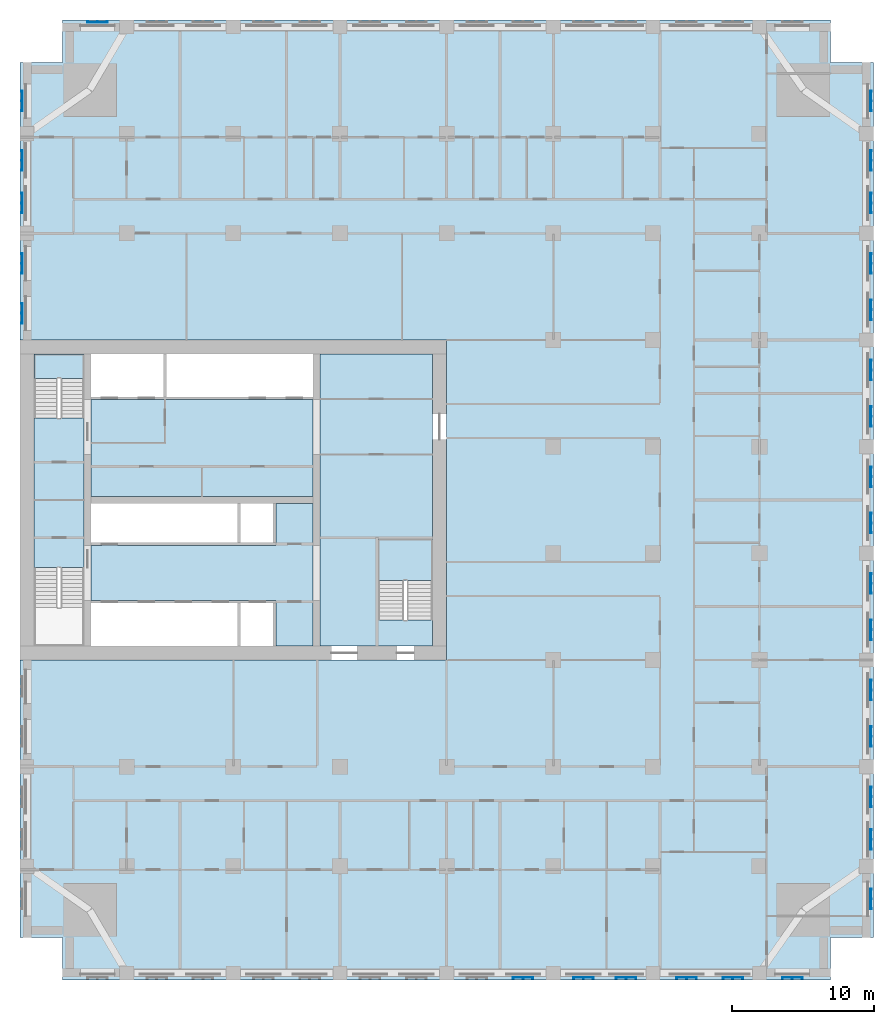
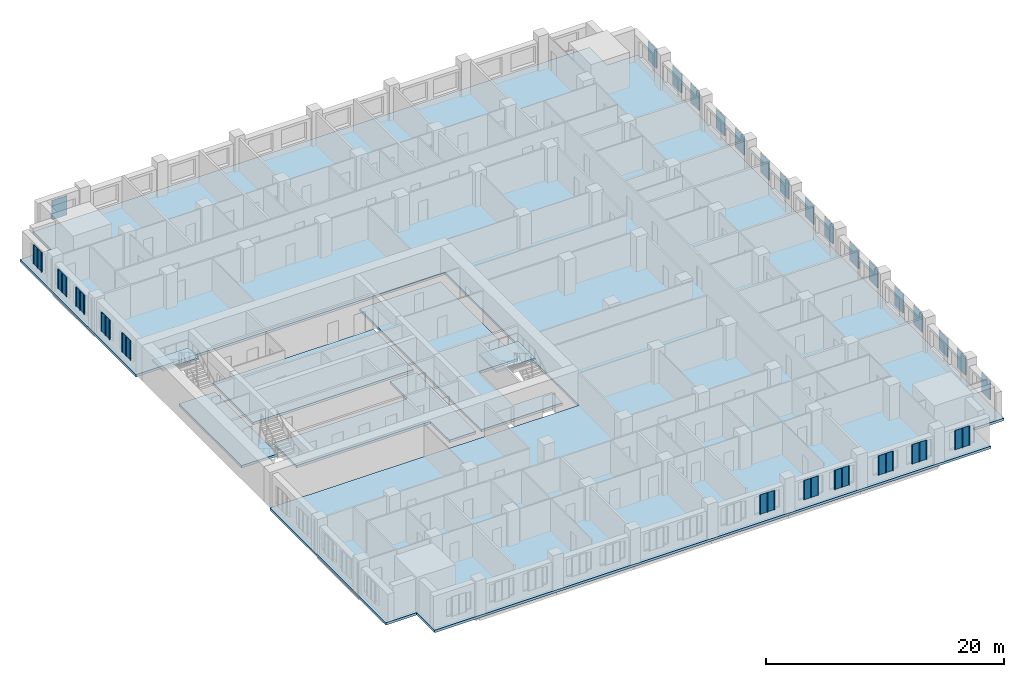
# One storey, part 2 of 14: 28 plates, 7 slabs, 2 elements without a shape of their own.
"""IFC4 building model written with IfcOpenShell, lengths in metres."""

from ifc_helpers import new_model, si_unit, direction, frame, origin, place, context, subcontext, project, spatial, polyline, outline, extrude, material, layer, layer_set, type_object, element, aggregate, save


model = new_model("IFC4")

# Units and contexts
model_context = context("Model", 3, precision=1e-05, world=origin(), true_north=direction((0.0, 1.0)))
body_context = subcontext(model_context, "Body", "Model", "MODEL_VIEW")
ifc_project = project(units=[si_unit("LENGTHUNIT", "METRE"), si_unit("AREAUNIT", "SQUARE_METRE"), si_unit("VOLUMEUNIT", "CUBIC_METRE"), si_unit("PLANEANGLEUNIT", "RADIAN"), si_unit("MASSUNIT", "GRAM", prefix="KILO")], contexts=[model_context])

# Site, building, storey
site_placement = place(None, origin())
site = spatial("IfcSite", under=ifc_project, at=site_placement, CompositionType="ELEMENT")
building_placement = place(site_placement, origin())
building = spatial("IfcBuilding", under=site, at=building_placement, Name="Tamorin Gate", CompositionType="ELEMENT")
storey_placement = place(building_placement, frame((0.0, 0.0, 79.10009765625)))
storey = spatial("IfcBuildingStorey", under=building, at=storey_placement, Name="L18", CompositionType="ELEMENT", Elevation=79.10009765625)

# Slabs
ifc_material_1 = material(Name="Concrete C40/50", Category="concrete")
ifc_layer_1 = layer(ifc_material_1, 0.25)
ifc_layer_set_1 = layer_set([ifc_layer_1], Name="Core floor slab 250 C40/50")
slab_type_1 = type_object("IfcSlabType", Name="Core floor slab 250 C40/50", PredefinedType="FLOOR", material=ifc_layer_set_1)
slab_1_placement = place(storey_placement, frame((0.0, 0.0, -0.25)))
element("IfcSlab", 1, at=slab_1_placement, inside=storey, type_object=slab_type_1, Name="Core floor L18", PredefinedType="FLOOR", context=body_context, shape_type="SweptSolid", body=[
    extrude(outline(polyline([(59.0, 62.800048828125), (59.0, 61.0), (51.10009765625, 61.0), (51.10009765625, 81.5), (59.0, 81.5), (59.0, 68.5), (55.199951171875, 68.5), (55.199951171875, 62.800048828125), (59.0, 62.800048828125)])), origin(), (0.0, 0.0, 1.0), 0.25),
])
slab_2_placement = place(storey_placement, frame((0.0, 0.0, -0.25)))
element("IfcSlab", 2, at=slab_2_placement, inside=storey, type_object=slab_type_1, Name="Core floor L18", PredefinedType="FLOOR", context=body_context, shape_type="SweptSolid", body=[
    extrude(outline(polyline([(50.60009765625, 61.0), (48.0, 61.0), (48.0, 64.199951171875), (35.0, 64.199951171875), (35.0, 68.050048828125), (48.0, 68.050048828125), (48.0, 71.0), (50.60009765625, 71.0), (50.60009765625, 61.0)])), origin(), (0.0, 0.0, 1.0), 0.25),
])
slab_3_placement = place(storey_placement, frame((0.0, 0.0, -0.25)))
element("IfcSlab", 3, at=slab_3_placement, inside=storey, type_object=slab_type_1, Name="Core floor L18", PredefinedType="FLOOR", context=body_context, shape_type="SweptSolid", body=[
    extrude(outline(polyline([(50.60009765625, 71.5), (35.0, 71.5), (35.0, 78.300048828125), (50.60009765625, 78.300048828125), (50.60009765625, 71.5)])), origin(), (0.0, 0.0, 1.0), 0.25),
])
slab_4_placement = place(storey_placement, frame((0.0, 0.0, -0.25)))
element("IfcSlab", 4, at=slab_4_placement, inside=storey, type_object=slab_type_1, Name="Core floor L18", PredefinedType="FLOOR", context=body_context, shape_type="SweptSolid", body=[
    extrude(outline(polyline([(31.0, 66.5), (31.0, 77.0), (34.5, 77.0), (34.5, 66.5), (31.0, 66.5)])), origin(), (0.0, 0.0, 1.0), 0.25),
])

# Stair, slab
stair_type = type_object("IfcStairType", Name="Exit stair", PredefinedType="HALF_TURN_STAIR", material=ifc_material_1)
stair_1_placement = place(storey_placement, origin())
stair_1 = element("IfcStair", 5, at=stair_1_placement, inside=storey, type_object=stair_type, Name="L18 stair ST2", PredefinedType="HALF_TURN_STAIR")
ifc_layer_2 = layer(ifc_material_1, 0.199951171875)
ifc_layer_set_2 = layer_set([ifc_layer_2], Name="Exit stair landing 200")
slab_type_2 = type_object("IfcSlabType", Name="Exit stair landing 200", PredefinedType="LANDING", material=ifc_layer_set_2)
slab_5_placement = place(storey_placement, frame((0.0, 0.0, 1.599853515625)))
slab_5 = element("IfcSlab", 6, at=slab_5_placement, type_object=slab_type_2, Name="ST2 landing 1", PredefinedType="LANDING", context=body_context, shape_type="SweptSolid", body=[
    extrude(outline(polyline([(34.5, 79.800048828125), (34.5, 81.5), (31.0, 81.5), (31.0, 79.800048828125), (34.5, 79.800048828125)])), origin(), (0.0, 0.0, 1.0), 0.199951171875),
])
aggregate(stair_1, [slab_5])

stair_2_placement = place(storey_placement, origin())
stair_2 = element("IfcStair", 7, at=stair_2_placement, inside=storey, type_object=stair_type, Name="L18 stair ST3", PredefinedType="HALF_TURN_STAIR")
slab_6_placement = place(storey_placement, frame((0.0, 0.0, 1.599853515625)))
slab_6 = element("IfcSlab", 8, at=slab_6_placement, type_object=slab_type_2, Name="ST3 landing 1", PredefinedType="LANDING", context=body_context, shape_type="SweptSolid", body=[
    extrude(outline(polyline([(59.0, 65.60009765625), (59.0, 68.5), (55.199951171875, 68.5), (55.199951171875, 65.60009765625), (59.0, 65.60009765625)])), origin(), (0.0, 0.0, 1.0), 0.199951171875),
])
aggregate(stair_2, [slab_6])

# Slab
ifc_layer_3 = layer(ifc_material_1, 0.25)
ifc_layer_set_3 = layer_set([ifc_layer_3], Name="Floor slab 250 C40/50")
slab_type_3 = type_object("IfcSlabType", Name="Floor slab 250 C40/50", PredefinedType="FLOOR", material=ifc_layer_set_3)
slab_7_placement = place(storey_placement, frame((0.0, 0.0, -0.25)))
element("IfcSlab", 9, at=slab_7_placement, inside=storey, type_object=slab_type_3, Name="Floor L18", PredefinedType="FLOOR", context=body_context, shape_type="SweptSolid", body=[
    extrude(outline(polyline([(30.0, 102.0), (33.0, 102.0), (33.0, 105.0), (87.0, 105.0), (87.0, 102.0), (90.0, 102.0), (90.0, 40.5), (87.0, 40.5), (87.0, 37.5), (33.0, 37.5), (33.0, 40.5), (30.0, 40.5), (30.0, 60.0), (60.0, 60.0), (60.0, 82.5), (30.0, 82.5), (30.0, 102.0)])), origin(), (0.0, 0.0, 1.0), 0.25),
])

# Plates
ifc_material_2 = material(Name="Perforated pale aluminium sheet", Category="aluminium")
ifc_layer_4 = layer(ifc_material_2, 0.0400390625)
ifc_layer_set_4 = layer_set([ifc_layer_4], Name="Pale metal solar screen 1440")
plate_type = type_object("IfcPlateType", Name="Pale metal solar screen 1440", PredefinedType="SHEET", material=ifc_layer_set_4)
plate_1_placement = place(storey_placement, frame((0.0, 0.0, 0.7099609375)))
element("IfcPlate", 10, at=plate_1_placement, inside=storey, type_object=plate_type, Name="Perforated solar screen", PredefinedType="SHEET", context=body_context, shape_type="SweptSolid", body=[
    extrude(outline(polyline([(64.655029296875, 37.659912109375), (64.655029296875, 37.699951171875), (64.715087890625, 37.699951171875), (65.344970703125, 37.699951171875), (65.405029296875, 37.699951171875), (66.034912109375, 37.699951171875), (66.094970703125, 37.699951171875), (66.094970703125, 37.659912109375), (66.094970703125, 37.60009765625), (66.034912109375, 37.60009765625), (66.034912109375, 37.659912109375), (65.405029296875, 37.659912109375), (65.405029296875, 37.60009765625), (65.344970703125, 37.60009765625), (65.344970703125, 37.659912109375), (64.715087890625, 37.659912109375), (64.715087890625, 37.60009765625), (64.655029296875, 37.60009765625), (64.655029296875, 37.659912109375)])), origin(), (0.0, 0.0, 1.0), 1.97998046875),
])
plate_2_placement = place(storey_placement, frame((0.0, 0.0, 0.7099609375)))
element("IfcPlate", 11, at=plate_2_placement, inside=storey, type_object=plate_type, Name="Perforated solar screen", PredefinedType="SHEET", context=body_context, shape_type="SweptSolid", body=[
    extrude(outline(polyline([(68.905029296875, 37.659912109375), (68.905029296875, 37.699951171875), (68.965087890625, 37.699951171875), (69.594970703125, 37.699951171875), (69.655029296875, 37.699951171875), (70.284912109375, 37.699951171875), (70.344970703125, 37.699951171875), (70.344970703125, 37.659912109375), (70.344970703125, 37.60009765625), (70.284912109375, 37.60009765625), (70.284912109375, 37.659912109375), (69.655029296875, 37.659912109375), (69.655029296875, 37.60009765625), (69.594970703125, 37.60009765625), (69.594970703125, 37.659912109375), (68.965087890625, 37.659912109375), (68.965087890625, 37.60009765625), (68.905029296875, 37.60009765625), (68.905029296875, 37.659912109375)])), origin(), (0.0, 0.0, 1.0), 1.97998046875),
])
plate_3_placement = place(storey_placement, frame((0.0, 0.0, 0.7099609375)))
element("IfcPlate", 12, at=plate_3_placement, inside=storey, type_object=plate_type, Name="Perforated solar screen", PredefinedType="SHEET", context=body_context, shape_type="SweptSolid", body=[
    extrude(outline(polyline([(71.905029296875, 37.659912109375), (71.905029296875, 37.699951171875), (71.965087890625, 37.699951171875), (72.594970703125, 37.699951171875), (72.655029296875, 37.699951171875), (73.284912109375, 37.699951171875), (73.344970703125, 37.699951171875), (73.344970703125, 37.659912109375), (73.344970703125, 37.60009765625), (73.284912109375, 37.60009765625), (73.284912109375, 37.659912109375), (72.655029296875, 37.659912109375), (72.655029296875, 37.60009765625), (72.594970703125, 37.60009765625), (72.594970703125, 37.659912109375), (71.965087890625, 37.659912109375), (71.965087890625, 37.60009765625), (71.905029296875, 37.60009765625), (71.905029296875, 37.659912109375)])), origin(), (0.0, 0.0, 1.0), 1.97998046875),
])
plate_4_placement = place(storey_placement, frame((0.0, 0.0, 0.7099609375)))
element("IfcPlate", 13, at=plate_4_placement, inside=storey, type_object=plate_type, Name="Perforated solar screen", PredefinedType="SHEET", context=body_context, shape_type="SweptSolid", body=[
    extrude(outline(polyline([(76.155029296875, 37.659912109375), (76.155029296875, 37.699951171875), (76.215087890625, 37.699951171875), (76.844970703125, 37.699951171875), (76.905029296875, 37.699951171875), (77.534912109375, 37.699951171875), (77.594970703125, 37.699951171875), (77.594970703125, 37.659912109375), (77.594970703125, 37.60009765625), (77.534912109375, 37.60009765625), (77.534912109375, 37.659912109375), (76.905029296875, 37.659912109375), (76.905029296875, 37.60009765625), (76.844970703125, 37.60009765625), (76.844970703125, 37.659912109375), (76.215087890625, 37.659912109375), (76.215087890625, 37.60009765625), (76.155029296875, 37.60009765625), (76.155029296875, 37.659912109375)])), origin(), (0.0, 0.0, 1.0), 1.97998046875),
])
plate_5_placement = place(storey_placement, frame((0.0, 0.0, 0.7099609375)))
element("IfcPlate", 14, at=plate_5_placement, inside=storey, type_object=plate_type, Name="Perforated solar screen", PredefinedType="SHEET", context=body_context, shape_type="SweptSolid", body=[
    extrude(outline(polyline([(79.405029296875, 37.659912109375), (79.405029296875, 37.699951171875), (79.465087890625, 37.699951171875), (80.094970703125, 37.699951171875), (80.155029296875, 37.699951171875), (80.784912109375, 37.699951171875), (80.844970703125, 37.699951171875), (80.844970703125, 37.659912109375), (80.844970703125, 37.60009765625), (80.784912109375, 37.60009765625), (80.784912109375, 37.659912109375), (80.155029296875, 37.659912109375), (80.155029296875, 37.60009765625), (80.094970703125, 37.60009765625), (80.094970703125, 37.659912109375), (79.465087890625, 37.659912109375), (79.465087890625, 37.60009765625), (79.405029296875, 37.60009765625), (79.405029296875, 37.659912109375)])), origin(), (0.0, 0.0, 1.0), 1.97998046875),
])
plate_6_placement = place(storey_placement, frame((0.0, 0.0, 0.7099609375)))
element("IfcPlate", 15, at=plate_6_placement, inside=storey, type_object=plate_type, Name="Perforated solar screen", PredefinedType="SHEET", context=body_context, shape_type="SweptSolid", body=[
    extrude(outline(polyline([(83.580078125, 37.659912109375), (83.580078125, 37.699951171875), (83.639892578125, 37.699951171875), (84.27001953125, 37.699951171875), (84.330078125, 37.699951171875), (84.9599609375, 37.699951171875), (85.02001953125, 37.699951171875), (85.02001953125, 37.659912109375), (85.02001953125, 37.60009765625), (84.9599609375, 37.60009765625), (84.9599609375, 37.659912109375), (84.330078125, 37.659912109375), (84.330078125, 37.60009765625), (84.27001953125, 37.60009765625), (84.27001953125, 37.659912109375), (83.639892578125, 37.659912109375), (83.639892578125, 37.60009765625), (83.580078125, 37.60009765625), (83.580078125, 37.659912109375)])), origin(), (0.0, 0.0, 1.0), 1.97998046875),
])
plate_7_placement = place(storey_placement, frame((0.0, 0.0, 0.7099609375)))
element("IfcPlate", 16, at=plate_7_placement, inside=storey, type_object=plate_type, Name="Perforated solar screen", PredefinedType="SHEET", context=body_context, shape_type="SweptSolid", body=[
    extrude(outline(polyline([(89.840087890625, 42.47998046875), (89.800048828125, 42.47998046875), (89.800048828125, 42.5400390625), (89.800048828125, 43.169921875), (89.800048828125, 43.22998046875), (89.800048828125, 43.860107421875), (89.800048828125, 43.919921875), (89.840087890625, 43.919921875), (89.89990234375, 43.919921875), (89.89990234375, 43.860107421875), (89.840087890625, 43.860107421875), (89.840087890625, 43.22998046875), (89.89990234375, 43.22998046875), (89.89990234375, 43.169921875), (89.840087890625, 43.169921875), (89.840087890625, 42.5400390625), (89.89990234375, 42.5400390625), (89.89990234375, 42.47998046875), (89.840087890625, 42.47998046875)])), origin(), (0.0, 0.0, 1.0), 1.97998046875),
])
plate_8_placement = place(storey_placement, frame((0.0, 0.0, 0.7099609375)))
element("IfcPlate", 17, at=plate_8_placement, inside=storey, type_object=plate_type, Name="Perforated solar screen", PredefinedType="SHEET", context=body_context, shape_type="SweptSolid", body=[
    extrude(outline(polyline([(89.840087890625, 46.655029296875), (89.800048828125, 46.655029296875), (89.800048828125, 46.715087890625), (89.800048828125, 47.344970703125), (89.800048828125, 47.405029296875), (89.800048828125, 48.034912109375), (89.800048828125, 48.094970703125), (89.800048828125, 48.094970703125), (89.840087890625, 48.094970703125), (89.840087890625, 48.094970703125), (89.89990234375, 48.094970703125), (89.89990234375, 48.034912109375), (89.840087890625, 48.034912109375), (89.840087890625, 47.405029296875), (89.89990234375, 47.405029296875), (89.89990234375, 47.344970703125), (89.840087890625, 47.344970703125), (89.840087890625, 46.715087890625), (89.89990234375, 46.715087890625), (89.89990234375, 46.655029296875), (89.840087890625, 46.655029296875)])), origin(), (0.0, 0.0, 1.0), 1.97998046875),
])
plate_9_placement = place(storey_placement, frame((0.0, 0.0, 0.7099609375)))
element("IfcPlate", 18, at=plate_9_placement, inside=storey, type_object=plate_type, Name="Perforated solar screen", PredefinedType="SHEET", context=body_context, shape_type="SweptSolid", body=[
    extrude(outline(polyline([(89.840087890625, 49.655029296875), (89.800048828125, 49.655029296875), (89.800048828125, 49.715087890625), (89.800048828125, 50.344970703125), (89.800048828125, 50.405029296875), (89.800048828125, 51.034912109375), (89.800048828125, 51.094970703125), (89.840087890625, 51.094970703125), (89.89990234375, 51.094970703125), (89.89990234375, 51.034912109375), (89.840087890625, 51.034912109375), (89.840087890625, 50.405029296875), (89.89990234375, 50.405029296875), (89.89990234375, 50.344970703125), (89.840087890625, 50.344970703125), (89.840087890625, 49.715087890625), (89.89990234375, 49.715087890625), (89.89990234375, 49.655029296875), (89.840087890625, 49.655029296875)])), origin(), (0.0, 0.0, 1.0), 1.97998046875),
])
plate_10_placement = place(storey_placement, frame((0.0, 0.0, 0.7099609375)))
element("IfcPlate", 19, at=plate_10_placement, inside=storey, type_object=plate_type, Name="Perforated solar screen", PredefinedType="SHEET", context=body_context, shape_type="SweptSolid", body=[
    extrude(outline(polyline([(89.840087890625, 53.905029296875), (89.800048828125, 53.905029296875), (89.800048828125, 53.965087890625), (89.800048828125, 54.594970703125), (89.800048828125, 54.655029296875), (89.800048828125, 55.284912109375), (89.800048828125, 55.344970703125), (89.840087890625, 55.344970703125), (89.89990234375, 55.344970703125), (89.89990234375, 55.284912109375), (89.840087890625, 55.284912109375), (89.840087890625, 54.655029296875), (89.89990234375, 54.655029296875), (89.89990234375, 54.594970703125), (89.840087890625, 54.594970703125), (89.840087890625, 53.965087890625), (89.89990234375, 53.965087890625), (89.89990234375, 53.905029296875), (89.840087890625, 53.905029296875)])), origin(), (0.0, 0.0, 1.0), 1.97998046875),
])
plate_11_placement = place(storey_placement, frame((0.0, 0.0, 0.7099609375)))
element("IfcPlate", 20, at=plate_11_placement, inside=storey, type_object=plate_type, Name="Perforated solar screen", PredefinedType="SHEET", context=body_context, shape_type="SweptSolid", body=[
    extrude(outline(polyline([(89.840087890625, 57.155029296875), (89.800048828125, 57.155029296875), (89.800048828125, 57.215087890625), (89.800048828125, 57.844970703125), (89.800048828125, 57.905029296875), (89.800048828125, 58.534912109375), (89.800048828125, 58.594970703125), (89.840087890625, 58.594970703125), (89.89990234375, 58.594970703125), (89.89990234375, 58.534912109375), (89.840087890625, 58.534912109375), (89.840087890625, 57.905029296875), (89.89990234375, 57.905029296875), (89.89990234375, 57.844970703125), (89.840087890625, 57.844970703125), (89.840087890625, 57.215087890625), (89.89990234375, 57.215087890625), (89.89990234375, 57.155029296875), (89.840087890625, 57.155029296875)])), origin(), (0.0, 0.0, 1.0), 1.97998046875),
])
plate_12_placement = place(storey_placement, frame((0.0, 0.0, 0.7099609375)))
element("IfcPlate", 21, at=plate_12_placement, inside=storey, type_object=plate_type, Name="Perforated solar screen", PredefinedType="SHEET", context=body_context, shape_type="SweptSolid", body=[
    extrude(outline(polyline([(89.840087890625, 61.405029296875), (89.800048828125, 61.405029296875), (89.800048828125, 61.465087890625), (89.800048828125, 62.094970703125), (89.800048828125, 62.155029296875), (89.800048828125, 62.784912109375), (89.800048828125, 62.844970703125), (89.840087890625, 62.844970703125), (89.89990234375, 62.844970703125), (89.89990234375, 62.784912109375), (89.840087890625, 62.784912109375), (89.840087890625, 62.155029296875), (89.89990234375, 62.155029296875), (89.89990234375, 62.094970703125), (89.840087890625, 62.094970703125), (89.840087890625, 61.465087890625), (89.89990234375, 61.465087890625), (89.89990234375, 61.405029296875), (89.840087890625, 61.405029296875)])), origin(), (0.0, 0.0, 1.0), 1.97998046875),
])
plate_13_placement = place(storey_placement, frame((0.0, 0.0, 0.7099609375)))
element("IfcPlate", 22, at=plate_13_placement, inside=storey, type_object=plate_type, Name="Perforated solar screen", PredefinedType="SHEET", context=body_context, shape_type="SweptSolid", body=[
    extrude(outline(polyline([(89.840087890625, 64.655029296875), (89.800048828125, 64.655029296875), (89.800048828125, 64.715087890625), (89.800048828125, 65.344970703125), (89.800048828125, 65.405029296875), (89.800048828125, 66.034912109375), (89.800048828125, 66.094970703125), (89.840087890625, 66.094970703125), (89.89990234375, 66.094970703125), (89.89990234375, 66.034912109375), (89.840087890625, 66.034912109375), (89.840087890625, 65.405029296875), (89.89990234375, 65.405029296875), (89.89990234375, 65.344970703125), (89.840087890625, 65.344970703125), (89.840087890625, 64.715087890625), (89.89990234375, 64.715087890625), (89.89990234375, 64.655029296875), (89.840087890625, 64.655029296875)])), origin(), (0.0, 0.0, 1.0), 1.97998046875),
])
plate_14_placement = place(storey_placement, frame((0.0, 0.0, 0.7099609375)))
element("IfcPlate", 23, at=plate_14_placement, inside=storey, type_object=plate_type, Name="Perforated solar screen", PredefinedType="SHEET", context=body_context, shape_type="SweptSolid", body=[
    extrude(outline(polyline([(89.840087890625, 68.905029296875), (89.800048828125, 68.905029296875), (89.800048828125, 68.965087890625), (89.800048828125, 69.594970703125), (89.800048828125, 69.655029296875), (89.800048828125, 70.284912109375), (89.800048828125, 70.344970703125), (89.840087890625, 70.344970703125), (89.89990234375, 70.344970703125), (89.89990234375, 70.284912109375), (89.840087890625, 70.284912109375), (89.840087890625, 69.655029296875), (89.89990234375, 69.655029296875), (89.89990234375, 69.594970703125), (89.840087890625, 69.594970703125), (89.840087890625, 68.965087890625), (89.89990234375, 68.965087890625), (89.89990234375, 68.905029296875), (89.840087890625, 68.905029296875)])), origin(), (0.0, 0.0, 1.0), 1.97998046875),
])
plate_15_placement = place(storey_placement, frame((0.0, 0.0, 0.7099609375)))
element("IfcPlate", 24, at=plate_15_placement, inside=storey, type_object=plate_type, Name="Perforated solar screen", PredefinedType="SHEET", context=body_context, shape_type="SweptSolid", body=[
    extrude(outline(polyline([(89.840087890625, 72.155029296875), (89.800048828125, 72.155029296875), (89.800048828125, 72.215087890625), (89.800048828125, 72.844970703125), (89.800048828125, 72.905029296875), (89.800048828125, 73.534912109375), (89.800048828125, 73.594970703125), (89.840087890625, 73.594970703125), (89.89990234375, 73.594970703125), (89.89990234375, 73.534912109375), (89.840087890625, 73.534912109375), (89.840087890625, 72.905029296875), (89.89990234375, 72.905029296875), (89.89990234375, 72.844970703125), (89.840087890625, 72.844970703125), (89.840087890625, 72.215087890625), (89.89990234375, 72.215087890625), (89.89990234375, 72.155029296875), (89.840087890625, 72.155029296875)])), origin(), (0.0, 0.0, 1.0), 1.97998046875),
])
plate_16_placement = place(storey_placement, frame((0.0, 0.0, 0.7099609375)))
element("IfcPlate", 25, at=plate_16_placement, inside=storey, type_object=plate_type, Name="Perforated solar screen", PredefinedType="SHEET", context=body_context, shape_type="SweptSolid", body=[
    extrude(outline(polyline([(89.840087890625, 76.405029296875), (89.800048828125, 76.405029296875), (89.800048828125, 76.465087890625), (89.800048828125, 77.094970703125), (89.800048828125, 77.155029296875), (89.800048828125, 77.784912109375), (89.800048828125, 77.844970703125), (89.840087890625, 77.844970703125), (89.89990234375, 77.844970703125), (89.89990234375, 77.784912109375), (89.840087890625, 77.784912109375), (89.840087890625, 77.155029296875), (89.89990234375, 77.155029296875), (89.89990234375, 77.094970703125), (89.840087890625, 77.094970703125), (89.840087890625, 76.465087890625), (89.89990234375, 76.465087890625), (89.89990234375, 76.405029296875), (89.840087890625, 76.405029296875)])), origin(), (0.0, 0.0, 1.0), 1.97998046875),
])
plate_17_placement = place(storey_placement, frame((0.0, 0.0, 0.7099609375)))
element("IfcPlate", 26, at=plate_17_placement, inside=storey, type_object=plate_type, Name="Perforated solar screen", PredefinedType="SHEET", context=body_context, shape_type="SweptSolid", body=[
    extrude(outline(polyline([(89.840087890625, 79.655029296875), (89.800048828125, 79.655029296875), (89.800048828125, 79.715087890625), (89.800048828125, 80.344970703125), (89.800048828125, 80.405029296875), (89.800048828125, 81.034912109375), (89.800048828125, 81.094970703125), (89.840087890625, 81.094970703125), (89.89990234375, 81.094970703125), (89.89990234375, 81.034912109375), (89.840087890625, 81.034912109375), (89.840087890625, 80.405029296875), (89.89990234375, 80.405029296875), (89.89990234375, 80.344970703125), (89.840087890625, 80.344970703125), (89.840087890625, 79.715087890625), (89.89990234375, 79.715087890625), (89.89990234375, 79.655029296875), (89.840087890625, 79.655029296875)])), origin(), (0.0, 0.0, 1.0), 1.97998046875),
])
plate_18_placement = place(storey_placement, frame((0.0, 0.0, 0.7099609375)))
element("IfcPlate", 27, at=plate_18_placement, inside=storey, type_object=plate_type, Name="Perforated solar screen", PredefinedType="SHEET", context=body_context, shape_type="SweptSolid", body=[
    extrude(outline(polyline([(89.840087890625, 83.905029296875), (89.800048828125, 83.905029296875), (89.800048828125, 83.965087890625), (89.800048828125, 84.594970703125), (89.800048828125, 84.655029296875), (89.800048828125, 85.284912109375), (89.800048828125, 85.344970703125), (89.840087890625, 85.344970703125), (89.89990234375, 85.344970703125), (89.89990234375, 85.284912109375), (89.840087890625, 85.284912109375), (89.840087890625, 84.655029296875), (89.89990234375, 84.655029296875), (89.89990234375, 84.594970703125), (89.840087890625, 84.594970703125), (89.840087890625, 83.965087890625), (89.89990234375, 83.965087890625), (89.89990234375, 83.905029296875), (89.840087890625, 83.905029296875)])), origin(), (0.0, 0.0, 1.0), 1.97998046875),
])
plate_19_placement = place(storey_placement, frame((0.0, 0.0, 0.7099609375)))
element("IfcPlate", 28, at=plate_19_placement, inside=storey, type_object=plate_type, Name="Perforated solar screen", PredefinedType="SHEET", context=body_context, shape_type="SweptSolid", body=[
    extrude(outline(polyline([(89.840087890625, 87.155029296875), (89.800048828125, 87.155029296875), (89.800048828125, 87.215087890625), (89.800048828125, 87.844970703125), (89.800048828125, 87.905029296875), (89.800048828125, 88.534912109375), (89.800048828125, 88.594970703125), (89.840087890625, 88.594970703125), (89.89990234375, 88.594970703125), (89.89990234375, 88.534912109375), (89.840087890625, 88.534912109375), (89.840087890625, 87.905029296875), (89.89990234375, 87.905029296875), (89.89990234375, 87.844970703125), (89.840087890625, 87.844970703125), (89.840087890625, 87.215087890625), (89.89990234375, 87.215087890625), (89.89990234375, 87.155029296875), (89.840087890625, 87.155029296875)])), origin(), (0.0, 0.0, 1.0), 1.97998046875),
])
plate_20_placement = place(storey_placement, frame((0.0, 0.0, 0.7099609375)))
element("IfcPlate", 29, at=plate_20_placement, inside=storey, type_object=plate_type, Name="Perforated solar screen", PredefinedType="SHEET", context=body_context, shape_type="SweptSolid", body=[
    extrude(outline(polyline([(89.840087890625, 91.405029296875), (89.800048828125, 91.405029296875), (89.800048828125, 91.465087890625), (89.800048828125, 92.094970703125), (89.800048828125, 92.155029296875), (89.800048828125, 92.784912109375), (89.800048828125, 92.844970703125), (89.840087890625, 92.844970703125), (89.89990234375, 92.844970703125), (89.89990234375, 92.784912109375), (89.840087890625, 92.784912109375), (89.840087890625, 92.155029296875), (89.89990234375, 92.155029296875), (89.89990234375, 92.094970703125), (89.840087890625, 92.094970703125), (89.840087890625, 91.465087890625), (89.89990234375, 91.465087890625), (89.89990234375, 91.405029296875), (89.840087890625, 91.405029296875)])), origin(), (0.0, 0.0, 1.0), 1.97998046875),
])
plate_21_placement = place(storey_placement, frame((0.0, 0.0, 0.7099609375)))
element("IfcPlate", 30, at=plate_21_placement, inside=storey, type_object=plate_type, Name="Perforated solar screen", PredefinedType="SHEET", context=body_context, shape_type="SweptSolid", body=[
    extrude(outline(polyline([(89.840087890625, 94.405029296875), (89.800048828125, 94.405029296875), (89.800048828125, 94.465087890625), (89.800048828125, 95.094970703125), (89.800048828125, 95.155029296875), (89.800048828125, 95.784912109375), (89.800048828125, 95.844970703125), (89.840087890625, 95.844970703125), (89.89990234375, 95.844970703125), (89.89990234375, 95.784912109375), (89.840087890625, 95.784912109375), (89.840087890625, 95.155029296875), (89.89990234375, 95.155029296875), (89.89990234375, 95.094970703125), (89.840087890625, 95.094970703125), (89.840087890625, 94.465087890625), (89.89990234375, 94.465087890625), (89.89990234375, 94.405029296875), (89.840087890625, 94.405029296875)])), origin(), (0.0, 0.0, 1.0), 1.97998046875),
])
plate_22_placement = place(storey_placement, frame((0.0, 0.0, 0.7099609375)))
element("IfcPlate", 31, at=plate_22_placement, inside=storey, type_object=plate_type, Name="Perforated solar screen", PredefinedType="SHEET", context=body_context, shape_type="SweptSolid", body=[
    extrude(outline(polyline([(89.840087890625, 98.580078125), (89.800048828125, 98.580078125), (89.800048828125, 98.639892578125), (89.800048828125, 99.27001953125), (89.800048828125, 99.330078125), (89.800048828125, 99.9599609375), (89.800048828125, 100.02001953125), (89.840087890625, 100.02001953125), (89.89990234375, 100.02001953125), (89.89990234375, 99.9599609375), (89.840087890625, 99.9599609375), (89.840087890625, 99.330078125), (89.89990234375, 99.330078125), (89.89990234375, 99.27001953125), (89.840087890625, 99.27001953125), (89.840087890625, 98.639892578125), (89.89990234375, 98.639892578125), (89.89990234375, 98.580078125), (89.840087890625, 98.580078125)])), origin(), (0.0, 0.0, 1.0), 1.97998046875),
])
plate_23_placement = place(storey_placement, frame((0.0, 0.0, 0.7099609375)))
element("IfcPlate", 32, at=plate_23_placement, inside=storey, type_object=plate_type, Name="Perforated solar screen", PredefinedType="SHEET", context=body_context, shape_type="SweptSolid", body=[
    extrude(outline(polyline([(36.169921875, 104.840087890625), (36.169921875, 104.800048828125), (36.110107421875, 104.800048828125), (35.47998046875, 104.800048828125), (35.419921875, 104.800048828125), (34.7900390625, 104.800048828125), (34.72998046875, 104.800048828125), (34.72998046875, 104.840087890625), (34.72998046875, 104.89990234375), (34.7900390625, 104.89990234375), (34.7900390625, 104.840087890625), (35.419921875, 104.840087890625), (35.419921875, 104.89990234375), (35.47998046875, 104.89990234375), (35.47998046875, 104.840087890625), (36.110107421875, 104.840087890625), (36.110107421875, 104.89990234375), (36.169921875, 104.89990234375), (36.169921875, 104.840087890625)])), origin(), (0.0, 0.0, 1.0), 1.97998046875),
])
plate_24_placement = place(storey_placement, frame((0.0, 0.0, 0.7099609375)))
element("IfcPlate", 33, at=plate_24_placement, inside=storey, type_object=plate_type, Name="Perforated solar screen", PredefinedType="SHEET", context=body_context, shape_type="SweptSolid", body=[
    extrude(outline(polyline([(30.159912109375, 100.02001953125), (30.199951171875, 100.02001953125), (30.199951171875, 99.9599609375), (30.199951171875, 99.330078125), (30.199951171875, 99.27001953125), (30.199951171875, 98.639892578125), (30.199951171875, 98.580078125), (30.159912109375, 98.580078125), (30.10009765625, 98.580078125), (30.10009765625, 98.639892578125), (30.159912109375, 98.639892578125), (30.159912109375, 99.27001953125), (30.10009765625, 99.27001953125), (30.10009765625, 99.330078125), (30.159912109375, 99.330078125), (30.159912109375, 99.9599609375), (30.10009765625, 99.9599609375), (30.10009765625, 100.02001953125), (30.159912109375, 100.02001953125)])), origin(), (0.0, 0.0, 1.0), 1.97998046875),
])
plate_25_placement = place(storey_placement, frame((0.0, 0.0, 0.7099609375)))
element("IfcPlate", 34, at=plate_25_placement, inside=storey, type_object=plate_type, Name="Perforated solar screen", PredefinedType="SHEET", context=body_context, shape_type="SweptSolid", body=[
    extrude(outline(polyline([(30.159912109375, 92.844970703125), (30.199951171875, 92.844970703125), (30.199951171875, 92.784912109375), (30.199951171875, 92.155029296875), (30.199951171875, 92.094970703125), (30.199951171875, 91.465087890625), (30.199951171875, 91.405029296875), (30.159912109375, 91.405029296875), (30.10009765625, 91.405029296875), (30.10009765625, 91.465087890625), (30.159912109375, 91.465087890625), (30.159912109375, 92.094970703125), (30.10009765625, 92.094970703125), (30.10009765625, 92.155029296875), (30.159912109375, 92.155029296875), (30.159912109375, 92.784912109375), (30.10009765625, 92.784912109375), (30.10009765625, 92.844970703125), (30.159912109375, 92.844970703125)])), origin(), (0.0, 0.0, 1.0), 1.97998046875),
])
plate_26_placement = place(storey_placement, frame((0.0, 0.0, 0.7099609375)))
element("IfcPlate", 35, at=plate_26_placement, inside=storey, type_object=plate_type, Name="Perforated solar screen", PredefinedType="SHEET", context=body_context, shape_type="SweptSolid", body=[
    extrude(outline(polyline([(30.159912109375, 95.844970703125), (30.199951171875, 95.844970703125), (30.199951171875, 95.784912109375), (30.199951171875, 95.155029296875), (30.199951171875, 95.094970703125), (30.199951171875, 94.465087890625), (30.199951171875, 94.405029296875), (30.199951171875, 94.405029296875), (30.159912109375, 94.405029296875), (30.159912109375, 94.405029296875), (30.10009765625, 94.405029296875), (30.10009765625, 94.465087890625), (30.159912109375, 94.465087890625), (30.159912109375, 95.094970703125), (30.10009765625, 95.094970703125), (30.10009765625, 95.155029296875), (30.159912109375, 95.155029296875), (30.159912109375, 95.784912109375), (30.10009765625, 95.784912109375), (30.10009765625, 95.844970703125), (30.159912109375, 95.844970703125)])), origin(), (0.0, 0.0, 1.0), 1.97998046875),
])
plate_27_placement = place(storey_placement, frame((0.0, 0.0, 0.7099609375)))
element("IfcPlate", 36, at=plate_27_placement, inside=storey, type_object=plate_type, Name="Perforated solar screen", PredefinedType="SHEET", context=body_context, shape_type="SweptSolid", body=[
    extrude(outline(polyline([(30.159912109375, 85.094970703125), (30.199951171875, 85.094970703125), (30.199951171875, 85.034912109375), (30.199951171875, 84.405029296875), (30.199951171875, 84.344970703125), (30.199951171875, 83.715087890625), (30.199951171875, 83.655029296875), (30.159912109375, 83.655029296875), (30.10009765625, 83.655029296875), (30.10009765625, 83.715087890625), (30.159912109375, 83.715087890625), (30.159912109375, 84.344970703125), (30.10009765625, 84.344970703125), (30.10009765625, 84.405029296875), (30.159912109375, 84.405029296875), (30.159912109375, 85.034912109375), (30.10009765625, 85.034912109375), (30.10009765625, 85.094970703125), (30.159912109375, 85.094970703125)])), origin(), (0.0, 0.0, 1.0), 1.97998046875),
])
plate_28_placement = place(storey_placement, frame((0.0, 0.0, 0.7099609375)))
element("IfcPlate", 37, at=plate_28_placement, inside=storey, type_object=plate_type, Name="Perforated solar screen", PredefinedType="SHEET", context=body_context, shape_type="SweptSolid", body=[
    extrude(outline(polyline([(30.159912109375, 88.594970703125), (30.199951171875, 88.594970703125), (30.199951171875, 88.534912109375), (30.199951171875, 87.905029296875), (30.199951171875, 87.844970703125), (30.199951171875, 87.215087890625), (30.199951171875, 87.155029296875), (30.159912109375, 87.155029296875), (30.10009765625, 87.155029296875), (30.10009765625, 87.215087890625), (30.159912109375, 87.215087890625), (30.159912109375, 87.844970703125), (30.10009765625, 87.844970703125), (30.10009765625, 87.905029296875), (30.159912109375, 87.905029296875), (30.159912109375, 88.534912109375), (30.10009765625, 88.534912109375), (30.10009765625, 88.594970703125), (30.159912109375, 88.594970703125)])), origin(), (0.0, 0.0, 1.0), 1.97998046875),
])

save(model, "model.ifc")
